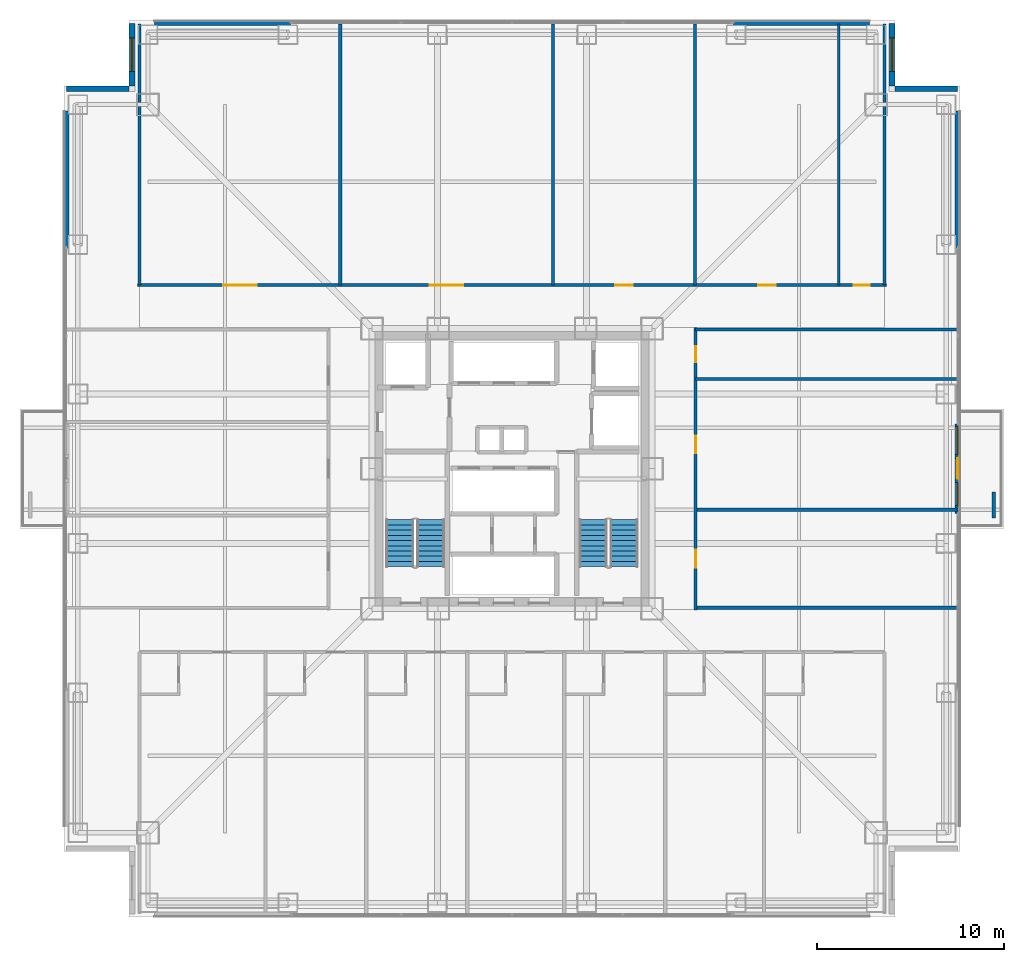
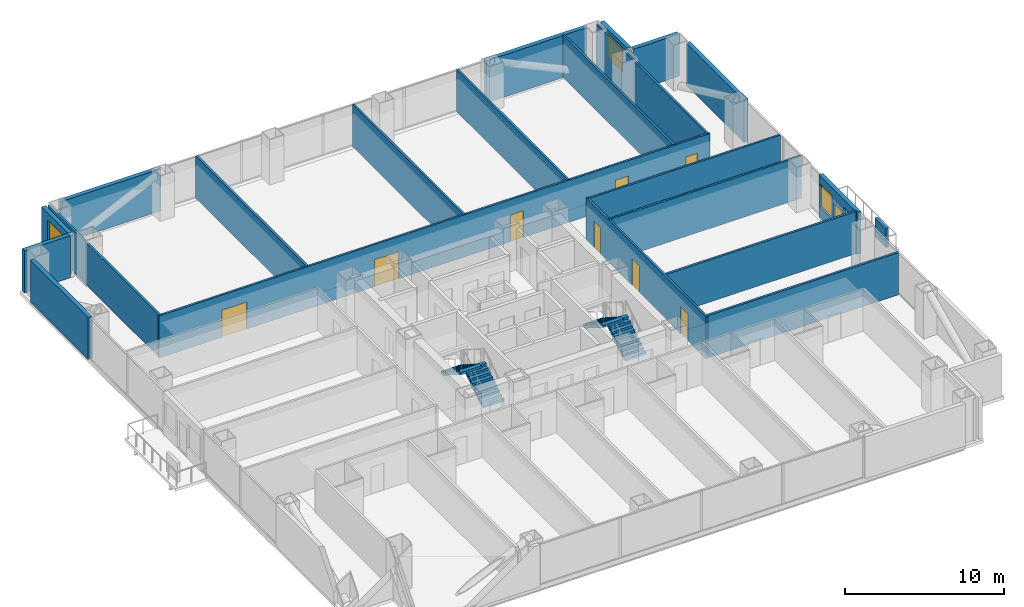
# One storey, part 17 of 20: 22 walls, 9 doors, 4 stair flights, 4 windows, 13 openings, 2 elements without a shape of their own.
"""IFC4 building model written with IfcOpenShell, lengths in metres."""

from ifc_helpers import new_model, si_unit, direction, frame, frame_2d, origin, place, context, subcontext, project, spatial, polyline, rectangle, outline, extrude, material, layer, layer_set, type_object, element, fill, aggregate, save


model = new_model("IFC4")

# Units and contexts
model_context = context("Model", 3, precision=1e-05, world=origin(), true_north=direction((0.0, 1.0)))
body_context = subcontext(model_context, "Body", "Model", "MODEL_VIEW")
ifc_project = project(units=[si_unit("LENGTHUNIT", "METRE"), si_unit("AREAUNIT", "SQUARE_METRE"), si_unit("VOLUMEUNIT", "CUBIC_METRE"), si_unit("PLANEANGLEUNIT", "RADIAN"), si_unit("MASSUNIT", "GRAM", prefix="KILO")], contexts=[model_context])

# Site, building, storey
site_placement = place(None, origin())
site = spatial("IfcSite", under=ifc_project, at=site_placement, CompositionType="ELEMENT")
building_placement = place(site_placement, origin())
building = spatial("IfcBuilding", under=site, at=building_placement, Name="Trevonay Congress Spire", CompositionType="ELEMENT")
storey_placement = place(building_placement, frame((0.0, 0.0, 76.0)))
storey = spatial("IfcBuildingStorey", under=building, at=storey_placement, Name="L19", CompositionType="ELEMENT", Elevation=76.0)

# Wall, openings, doors
ifc_material_1 = material(Name="Concrete C40/50", Category="concrete")
ifc_layer_1 = layer(ifc_material_1, 0.14990234375, Name="Concrete C40/50")
ifc_layer_set_1 = layer_set([ifc_layer_1], Name="Concrete C40/50")
wall_type_1 = type_object("IfcWallType", Name="WAL-CORR-150", PredefinedType="PARTITIONING", material=ifc_layer_set_1)
wall_1_placement = place(storey_placement, frame((-20.070068359375, 9.830078125, 0.0), z_axis=(0.0, 0.0, 1.0), x_axis=(1.0, 0.0, 0.0)))
wall_1 = element("IfcWall", 1, at=wall_1_placement, inside=storey, type_object=wall_type_1, Name="L19 interior wall WP-L19N-COR", PredefinedType="PARTITIONING", context=body_context, shape_type="SweptSolid", body=[
    extrude(rectangle(XDim=40.14013671875, YDim=0.14990234375, at=frame_2d((20.070068359375, 0.0))), origin(), (0.0, 0.0, 1.0), 3.25),
])
opening_1_placement = place(wall_1_placement, frame((4.594970703125, 0.0, 0.0)))
opening_1 = element("IfcOpeningElement", 2, at=opening_1_placement, cuts=wall_1, Name="Opening D09", PredefinedType="OPENING", context=body_context, shape_type="SweptSolid", body=[
    extrude(rectangle(XDim=1.800048828125, YDim=2.080078125, at=frame_2d((0.89990234375, 1.0400390625))), frame((0.0, 0.0849609375, 0.0), z_axis=(0.0, -1.0, 0.0), x_axis=(1.0, 0.0, 0.0)), (0.0, 0.0, 1.0), 0.169921875),
])
opening_2_placement = place(wall_1_placement, frame((15.669921875, 0.0, 0.0)))
opening_2 = element("IfcOpeningElement", 3, at=opening_2_placement, cuts=wall_1, Name="Opening D09", PredefinedType="OPENING", context=body_context, shape_type="SweptSolid", body=[
    extrude(rectangle(XDim=1.800048828125, YDim=2.080078125, at=frame_2d((0.89990234375, 1.0400390625))), frame((0.0, 0.0849609375, 0.0), z_axis=(0.0, -1.0, 0.0), x_axis=(1.0, 0.0, 0.0)), (0.0, 0.0, 1.0), 0.169921875),
])
opening_3_placement = place(wall_1_placement, frame((25.594970703125, 0.0, 0.0)))
opening_3 = element("IfcOpeningElement", 4, at=opening_3_placement, cuts=wall_1, Name="Opening D07", PredefinedType="OPENING", context=body_context, shape_type="SweptSolid", body=[
    extrude(rectangle(XDim=0.949951171875, YDim=2.06005859375, at=frame_2d((0.47509765625, 1.030029296875))), frame((0.0, 0.0849609375, 0.0), z_axis=(0.0, -1.0, 0.0), x_axis=(1.0, 0.0, 0.0)), (0.0, 0.0, 1.0), 0.169921875),
])
opening_4_placement = place(wall_1_placement, frame((33.2451171875, 0.0, 0.0)))
opening_4 = element("IfcOpeningElement", 5, at=opening_4_placement, cuts=wall_1, Name="Opening D07", PredefinedType="OPENING", context=body_context, shape_type="SweptSolid", body=[
    extrude(rectangle(XDim=0.949951171875, YDim=2.06005859375, at=frame_2d((0.47509765625, 1.030029296875))), frame((0.0, 0.0849609375, 0.0), z_axis=(0.0, -1.0, 0.0), x_axis=(1.0, 0.0, 0.0)), (0.0, 0.0, 1.0), 0.169921875),
])
opening_5_placement = place(wall_1_placement, frame((38.3701171875, 0.0, 0.0)))
opening_5 = element("IfcOpeningElement", 6, at=opening_5_placement, cuts=wall_1, Name="Opening D10", PredefinedType="OPENING", context=body_context, shape_type="SweptSolid", body=[
    extrude(rectangle(XDim=0.85009765625, YDim=2.050048828125, at=frame_2d((0.425048828125, 1.02490234375))), frame((0.0, 0.0849609375, 0.0), z_axis=(0.0, -1.0, 0.0), x_axis=(1.0, 0.0, 0.0)), (0.0, 0.0, 1.0), 0.169921875),
])
ifc_material_2 = material(Name="Pale Anodised Aluminium EN AW-6063-T6", Category="aluminium")
door_type_1 = type_object("IfcDoorType", Name="DOR-CONF-DBL", OperationType="DOUBLE_DOOR_SINGLE_SWING", PredefinedType="DOOR", material=ifc_material_2)
door_1_placement = place(opening_1_placement, origin())
door_1 = element("IfcDoor", 7, at=door_1_placement, inside=storey, type_object=door_type_1, Name="L19 Presidential Sky Lounge Door", OperationType="DOUBLE_DOOR_SINGLE_SWING", OverallHeight=2.080078125, OverallWidth=1.800048828125, PredefinedType="DOOR", context=body_context, shape_type="SweptSolid", body=[
    extrude(rectangle(XDim=1.800048828125, YDim=2.080078125, at=frame_2d((0.89990234375, 1.0400390625))), frame((0.0, 0.02490234375, 0.0), z_axis=(0.0, -1.0, 0.0), x_axis=(1.0, 0.0, 0.0)), (0.0, 0.0, 1.0), 0.050048828125),
])
fill(opening_1, door_1)
door_2_placement = place(opening_2_placement, origin())
door_2 = element("IfcDoor", 8, at=door_2_placement, inside=storey, type_object=door_type_1, Name="L19 Diplomatic Reception Salon Door", OperationType="DOUBLE_DOOR_SINGLE_SWING", OverallHeight=2.080078125, OverallWidth=1.800048828125, PredefinedType="DOOR", context=body_context, shape_type="SweptSolid", body=[
    extrude(rectangle(XDim=1.800048828125, YDim=2.080078125, at=frame_2d((0.89990234375, 1.0400390625))), frame((0.0, 0.02490234375, 0.0), z_axis=(0.0, -1.0, 0.0), x_axis=(1.0, 0.0, 0.0)), (0.0, 0.0, 1.0), 0.050048828125),
])
fill(opening_2, door_2)
door_type_2 = type_object("IfcDoorType", Name="DOR-OFFICE-95", OperationType="NOTDEFINED", PredefinedType="DOOR", material=ifc_material_2)
door_3_placement = place(opening_3_placement, origin())
door_3 = element("IfcDoor", 9, at=door_3_placement, inside=storey, type_object=door_type_2, Name="L19 Protocol Secretariat Office Door", OperationType="SINGLE_SWING_LEFT", OverallHeight=2.06005859375, OverallWidth=0.949951171875, PredefinedType="DOOR", context=body_context, shape_type="SweptSolid", body=[
    extrude(rectangle(XDim=0.949951171875, YDim=2.06005859375, at=frame_2d((0.47509765625, 1.030029296875))), frame((0.0, 0.02490234375, 0.0), z_axis=(0.0, -1.0, 0.0), x_axis=(1.0, 0.0, 0.0)), (0.0, 0.0, 1.0), 0.050048828125),
])
fill(opening_3, door_3)
door_4_placement = place(opening_4_placement, origin())
door_4 = element("IfcDoor", 10, at=door_4_placement, inside=storey, type_object=door_type_2, Name="L19 Butler Catering Kitchen Door", OperationType="SINGLE_SWING_RIGHT", OverallHeight=2.06005859375, OverallWidth=0.949951171875, PredefinedType="DOOR", context=body_context, shape_type="SweptSolid", body=[
    extrude(rectangle(XDim=0.949951171875, YDim=2.06005859375, at=frame_2d((0.47509765625, 1.030029296875))), frame((0.0, 0.02490234375, 0.0), z_axis=(0.0, -1.0, 0.0), x_axis=(1.0, 0.0, 0.0)), (0.0, 0.0, 1.0), 0.050048828125),
])
fill(opening_4, door_4)
door_type_3 = type_object("IfcDoorType", Name="DOR-WC-85", OperationType="NOTDEFINED", PredefinedType="DOOR", material=ifc_material_2)
door_5_placement = place(opening_5_placement, origin())
door_5 = element("IfcDoor", 11, at=door_5_placement, inside=storey, type_object=door_type_3, Name="L19 Accessible WC Door", OperationType="SINGLE_SWING_LEFT", OverallHeight=2.050048828125, OverallWidth=0.85009765625, PredefinedType="DOOR", context=body_context, shape_type="SweptSolid", body=[
    extrude(rectangle(XDim=0.85009765625, YDim=2.050048828125, at=frame_2d((0.425048828125, 1.02490234375))), frame((0.0, 0.02490234375, 0.0), z_axis=(0.0, -1.0, 0.0), x_axis=(1.0, 0.0, 0.0)), (0.0, 0.0, 1.0), 0.050048828125),
])
fill(opening_5, door_5)

wall_2_placement = place(storey_placement, frame((9.830078125, -7.570068359375, 0.0), z_axis=(0.0, 0.0, 1.0), x_axis=(0.0, 1.0, 0.0)))
wall_2 = element("IfcWall", 12, at=wall_2_placement, inside=storey, type_object=wall_type_1, Name="L19 interior wall WP-L19E-COR", PredefinedType="PARTITIONING", context=body_context, shape_type="SweptSolid", body=[
    extrude(rectangle(XDim=15.14013671875, YDim=0.14990234375, at=frame_2d((7.570068359375, 0.0))), origin(), (0.0, 0.0, 1.0), 3.25),
])
opening_6_placement = place(wall_2_placement, frame((2.27001953125, 0.0, 0.0)))
opening_6 = element("IfcOpeningElement", 13, at=opening_6_placement, cuts=wall_2, Name="Opening D07", PredefinedType="OPENING", context=body_context, shape_type="SweptSolid", body=[
    extrude(rectangle(XDim=0.949951171875, YDim=2.06005859375, at=frame_2d((0.47509765625, 1.030029296875))), frame((0.0, 0.0849609375, 0.0), z_axis=(0.0, -1.0, 0.0), x_axis=(1.0, 0.0, 0.0)), (0.0, 0.0, 1.0), 0.169921875),
])
opening_7_placement = place(wall_2_placement, frame((8.39501953125, 0.0, 0.0)))
opening_7 = element("IfcOpeningElement", 14, at=opening_7_placement, cuts=wall_2, Name="Opening D07", PredefinedType="OPENING", context=body_context, shape_type="SweptSolid", body=[
    extrude(rectangle(XDim=0.949951171875, YDim=2.06005859375, at=frame_2d((0.47509765625, 1.030029296875))), frame((0.0, 0.0849609375, 0.0), z_axis=(0.0, -1.0, 0.0), x_axis=(1.0, 0.0, 0.0)), (0.0, 0.0, 1.0), 0.169921875),
])
opening_8_placement = place(wall_2_placement, frame((13.27001953125, 0.0, 0.0)))
opening_8 = element("IfcOpeningElement", 15, at=opening_8_placement, cuts=wall_2, Name="Opening D10", PredefinedType="OPENING", context=body_context, shape_type="SweptSolid", body=[
    extrude(rectangle(XDim=0.85009765625, YDim=2.050048828125, at=frame_2d((0.425048828125, 1.02490234375))), frame((0.0, 0.0849609375, 0.0), z_axis=(0.0, -1.0, 0.0), x_axis=(1.0, 0.0, 0.0)), (0.0, 0.0, 1.0), 0.169921875),
])
door_6_placement = place(opening_6_placement, origin())
door_6 = element("IfcDoor", 16, at=door_6_placement, inside=storey, type_object=door_type_2, Name="L19 Housekeeping and Linen Room Door", OperationType="SINGLE_SWING_LEFT", OverallHeight=2.06005859375, OverallWidth=0.949951171875, PredefinedType="DOOR", context=body_context, shape_type="SweptSolid", body=[
    extrude(rectangle(XDim=0.949951171875, YDim=2.06005859375, at=frame_2d((0.47509765625, 1.030029296875))), frame((0.0, 0.02490234375, 0.0), z_axis=(0.0, -1.0, 0.0), x_axis=(1.0, 0.0, 0.0)), (0.0, 0.0, 1.0), 0.050048828125),
])
fill(opening_6, door_6)
door_7_placement = place(opening_7_placement, origin())
door_7 = element("IfcDoor", 17, at=door_7_placement, inside=storey, type_object=door_type_2, Name="L19 Penthouse Wine Pantry Door", OperationType="SINGLE_SWING_RIGHT", OverallHeight=2.06005859375, OverallWidth=0.949951171875, PredefinedType="DOOR", context=body_context, shape_type="SweptSolid", body=[
    extrude(rectangle(XDim=0.949951171875, YDim=2.06005859375, at=frame_2d((0.47509765625, 1.030029296875))), frame((0.0, 0.02490234375, 0.0), z_axis=(0.0, -1.0, 0.0), x_axis=(1.0, 0.0, 0.0)), (0.0, 0.0, 1.0), 0.050048828125),
])
fill(opening_7, door_7)
door_8_placement = place(opening_8_placement, origin())
door_8 = element("IfcDoor", 18, at=door_8_placement, inside=storey, type_object=door_type_3, Name="L19 Staff Restroom WC Door", OperationType="SINGLE_SWING_LEFT", OverallHeight=2.050048828125, OverallWidth=0.85009765625, PredefinedType="DOOR", context=body_context, shape_type="SweptSolid", body=[
    extrude(rectangle(XDim=0.85009765625, YDim=2.050048828125, at=frame_2d((0.425048828125, 1.02490234375))), frame((0.0, 0.02490234375, 0.0), z_axis=(0.0, -1.0, 0.0), x_axis=(1.0, 0.0, 0.0)), (0.0, 0.0, 1.0), 0.050048828125),
])
fill(opening_8, door_8)

# Walls
ifc_material_3 = material(Name="Precast concrete C40/50", Category="concrete")
ifc_layer_2 = layer(ifc_material_3, 0.300048828125, Name="Precast concrete C40/50")
ifc_layer_set_2 = layer_set([ifc_layer_2], Name="Precast concrete C40/50")
wall_type_2 = type_object("IfcWallType", Name="WAL-EXT-PRECAST-300", PredefinedType="SOLIDWALL", material=ifc_layer_set_2)
for number, where, z_axis, x_axis, name in (
    (19, (-19.14990234375, 23.8798828125, 0.0), (0.0, 0.0, 1.0), (1.0, 0.0, 0.0), "L19 NL braced-bay exterior pier wall"),
    (20, (11.85009765625, 23.8798828125, 0.0), (0.0, 0.0, 1.0), (1.0, 0.0, 0.0), "L19 NR braced-bay exterior pier wall"),
    (21, (-23.8798828125, 11.85009765625, 0.0), (0.0, 0.0, 1.0), (0.0, 1.0, 0.0), "L19 WR braced-bay exterior pier wall"),
    (22, (23.8798828125, 11.85009765625, 0.0), (0.0, 0.0, 1.0), (0.0, 1.0, 0.0), "L19 ER braced-bay exterior pier wall"),
):
    element("IfcWall", number, at=place(storey_placement, frame(where, z_axis=z_axis, x_axis=x_axis)), inside=storey, type_object=wall_type_2, Name=name, PredefinedType="SOLIDWALL", context=body_context, shape_type="SweptSolid", body=[
        extrude(rectangle(XDim=7.2998046875, YDim=0.300048828125, at=frame_2d((3.64990234375, 0.0))), origin(), (0.0, 0.0, 1.0), 3.25),
    ])

# Wall, openings, door, windows
wall_3_placement = place(storey_placement, frame((23.8798828125, -2.39990234375, 0.0), z_axis=(0.0, 0.0, 1.0), x_axis=(0.0, 1.0, 0.0)))
wall_3 = element("IfcWall", 23, at=wall_3_placement, inside=storey, type_object=wall_type_2, Name="L19 E glazed balcony portal exterior wall", PredefinedType="SOLIDWALL", context=body_context, shape_type="SweptSolid", body=[
    extrude(rectangle(XDim=4.7998046875, YDim=0.300048828125, at=frame_2d((2.39990234375, 0.0))), origin(), (0.0, 0.0, 1.0), 3.25),
])
opening_9_placement = place(wall_3_placement, frame((1.85009765625, 0.0, 0.0)))
opening_9 = element("IfcOpeningElement", 24, at=opening_9_placement, cuts=wall_3, Name="Opening D03", PredefinedType="OPENING", context=body_context, shape_type="SweptSolid", body=[
    extrude(rectangle(XDim=1.10009765625, YDim=2.199951171875, at=frame_2d((0.550048828125, 1.10009765625))), frame((0.0, 0.16015625, 0.0), z_axis=(0.0, -1.0, 0.0), x_axis=(1.0, 0.0, 0.0)), (0.0, 0.0, 1.0), 0.320068359375),
])
opening_10_placement = place(wall_3_placement, frame((0.419921875, 0.0, 0.85009765625)))
opening_10 = element("IfcOpeningElement", 25, at=opening_10_placement, cuts=wall_3, Name="Opening WN07", PredefinedType="OPENING", context=body_context, shape_type="SweptSolid", body=[
    extrude(rectangle(XDim=1.22998046875, YDim=1.800048828125, at=frame_2d((0.614990234375, 0.89990234375))), frame((0.0, 0.16015625, 0.0), z_axis=(0.0, -1.0, 0.0), x_axis=(1.0, 0.0, 0.0)), (0.0, 0.0, 1.0), 0.320068359375),
])
opening_11_placement = place(wall_3_placement, frame((3.14990234375, 0.0, 0.85009765625)))
opening_11 = element("IfcOpeningElement", 26, at=opening_11_placement, cuts=wall_3, Name="Opening WN03", PredefinedType="OPENING", context=body_context, shape_type="SweptSolid", body=[
    extrude(rectangle(XDim=1.5, YDim=1.800048828125, at=frame_2d((0.75, 0.89990234375))), frame((0.0, 0.16015625, 0.0), z_axis=(0.0, -1.0, 0.0), x_axis=(1.0, 0.0, 0.0)), (0.0, 0.0, 1.0), 0.320068359375),
])
door_type_4 = type_object("IfcDoorType", Name="DOR-EXT-BAL-110", OperationType="NOTDEFINED", PredefinedType="DOOR", material=ifc_material_2)
door_9_placement = place(opening_9_placement, origin())
door_9 = element("IfcDoor", 27, at=door_9_placement, inside=storey, type_object=door_type_4, Name="L19 E glazed outdoor terrace and balcony door", OperationType="SINGLE_SWING_RIGHT", OverallHeight=2.199951171875, OverallWidth=1.10009765625, PredefinedType="DOOR", context=body_context, shape_type="SweptSolid", body=[
    extrude(rectangle(XDim=1.10009765625, YDim=2.199951171875, at=frame_2d((0.550048828125, 1.10009765625))), frame((0.0, 0.02490234375, 0.0), z_axis=(0.0, -1.0, 0.0), x_axis=(1.0, 0.0, 0.0)), (0.0, 0.0, 1.0), 0.050048828125),
])
fill(opening_9, door_9)
ifc_material_4 = material(Name="Insulated Low-E Vision Glass IGU", Category="glass")
window_type_1 = type_object("IfcWindowType", Name="WIN-NOTCH-150X180", PartitioningType="SINGLE_PANEL", PredefinedType="WINDOW", material=ifc_material_4)
window_1_placement = place(opening_11_placement, origin())
window_1 = element("IfcWindow", 28, at=window_1_placement, inside=storey, type_object=window_type_1, Name="L19 E balcony sidelight window R", OverallHeight=1.800048828125, OverallWidth=1.5, PartitioningType="SINGLE_PANEL", PredefinedType="WINDOW", context=body_context, shape_type="SweptSolid", body=[
    extrude(rectangle(XDim=1.5, YDim=1.800048828125, at=frame_2d((0.75, 0.89990234375))), frame((0.0, 0.030029296875, 0.0), z_axis=(0.0, -1.0, 0.0), x_axis=(1.0, 0.0, 0.0)), (0.0, 0.0, 1.0), 0.06005859375),
])
fill(opening_11, window_1)
window_type_2 = type_object("IfcWindowType", Name="WIN-SIDELIGHT-123X180", PartitioningType="SINGLE_PANEL", PredefinedType="WINDOW", material=ifc_material_4)
window_2_placement = place(opening_10_placement, origin())
window_2 = element("IfcWindow", 29, at=window_2_placement, inside=storey, type_object=window_type_2, Name="L19 E balcony sidelight window L", OverallHeight=1.800048828125, OverallWidth=1.22998046875, PartitioningType="SINGLE_PANEL", PredefinedType="WINDOW", context=body_context, shape_type="SweptSolid", body=[
    extrude(rectangle(XDim=1.22998046875, YDim=1.800048828125, at=frame_2d((0.614990234375, 0.89990234375))), frame((0.0, 0.030029296875, 0.0), z_axis=(0.0, -1.0, 0.0), x_axis=(1.0, 0.0, 0.0)), (0.0, 0.0, 1.0), 0.06005859375),
])
fill(opening_10, window_2)

# Wall, opening, window
wall_4_placement = place(storey_placement, frame((20.35009765625, 23.85009765625, 0.0), z_axis=(0.0, 0.0, 1.0), x_axis=(0.0, -1.0, 0.0)))
wall_4 = element("IfcWall", 30, at=wall_4_placement, inside=storey, type_object=wall_type_2, Name="L19 NE re-entrant notch exterior wall 1", PredefinedType="SOLIDWALL", context=body_context, shape_type="SweptSolid", body=[
    extrude(rectangle(XDim=3.35009765625, YDim=0.300048828125, at=frame_2d((1.675048828125, 0.0))), origin(), (0.0, 0.0, 1.0), 3.25),
])
opening_12_placement = place(wall_4_placement, frame((0.77490234375, 0.0, 0.89990234375)))
opening_12 = element("IfcOpeningElement", 31, at=opening_12_placement, cuts=wall_4, Name="Opening WN01", PredefinedType="OPENING", context=body_context, shape_type="SweptSolid", body=[
    extrude(rectangle(XDim=1.800048828125, YDim=1.800048828125, at=frame_2d((0.89990234375, 0.89990234375))), frame((0.0, 0.16015625, 0.0), z_axis=(0.0, -1.0, 0.0), x_axis=(1.0, 0.0, 0.0)), (0.0, 0.0, 1.0), 0.320068359375),
])
window_type_3 = type_object("IfcWindowType", Name="WIN-HOTEL-180X180", PartitioningType="SINGLE_PANEL", PredefinedType="WINDOW", material=ifc_material_4)
window_3_placement = place(opening_12_placement, origin())
window_3 = element("IfcWindow", 32, at=window_3_placement, inside=storey, type_object=window_type_3, Name="L19 NE corner notch window", OverallHeight=1.800048828125, OverallWidth=1.800048828125, PartitioningType="SINGLE_PANEL", PredefinedType="WINDOW", context=body_context, shape_type="SweptSolid", body=[
    extrude(rectangle(XDim=1.800048828125, YDim=1.800048828125, at=frame_2d((0.89990234375, 0.89990234375))), frame((0.0, 0.030029296875, 0.0), z_axis=(0.0, -1.0, 0.0), x_axis=(1.0, 0.0, 0.0)), (0.0, 0.0, 1.0), 0.06005859375),
])
fill(opening_12, window_3)

# Wall
wall_5_placement = place(storey_placement, frame((23.85009765625, 20.35009765625, 0.0), z_axis=(0.0, 0.0, 1.0), x_axis=(-1.0, 0.0, 0.0)))
element("IfcWall", 33, at=wall_5_placement, inside=storey, type_object=wall_type_2, Name="L19 NE re-entrant notch exterior wall 2", PredefinedType="SOLIDWALL", context=body_context, shape_type="SweptSolid", body=[
    extrude(rectangle(XDim=3.35009765625, YDim=0.300048828125, at=frame_2d((1.675048828125, 0.0))), origin(), (0.0, 0.0, 1.0), 3.25),
])

# Wall, opening, window
wall_6_placement = place(storey_placement, frame((-20.35009765625, 23.85009765625, 0.0), z_axis=(0.0, 0.0, 1.0), x_axis=(0.0, -1.0, 0.0)))
wall_6 = element("IfcWall", 34, at=wall_6_placement, inside=storey, type_object=wall_type_2, Name="L19 NW re-entrant notch exterior wall 1", PredefinedType="SOLIDWALL", context=body_context, shape_type="SweptSolid", body=[
    extrude(rectangle(XDim=3.35009765625, YDim=0.300048828125, at=frame_2d((1.675048828125, 0.0))), origin(), (0.0, 0.0, 1.0), 3.25),
])
opening_13_placement = place(wall_6_placement, frame((0.77490234375, 0.0, 0.89990234375)))
opening_13 = element("IfcOpeningElement", 35, at=opening_13_placement, cuts=wall_6, Name="Opening WN01", PredefinedType="OPENING", context=body_context, shape_type="SweptSolid", body=[
    extrude(rectangle(XDim=1.800048828125, YDim=1.800048828125, at=frame_2d((0.89990234375, 0.89990234375))), frame((0.0, 0.16015625, 0.0), z_axis=(0.0, -1.0, 0.0), x_axis=(1.0, 0.0, 0.0)), (0.0, 0.0, 1.0), 0.320068359375),
])
window_4_placement = place(opening_13_placement, origin())
window_4 = element("IfcWindow", 36, at=window_4_placement, inside=storey, type_object=window_type_3, Name="L19 NW corner notch window", OverallHeight=1.800048828125, OverallWidth=1.800048828125, PartitioningType="SINGLE_PANEL", PredefinedType="WINDOW", context=body_context, shape_type="SweptSolid", body=[
    extrude(rectangle(XDim=1.800048828125, YDim=1.800048828125, at=frame_2d((0.89990234375, 0.89990234375))), frame((0.0, 0.030029296875, 0.0), z_axis=(0.0, -1.0, 0.0), x_axis=(1.0, 0.0, 0.0)), (0.0, 0.0, 1.0), 0.06005859375),
])
fill(opening_13, window_4)

# Walls
wall_7_placement = place(storey_placement, frame((-23.85009765625, 20.35009765625, 0.0), z_axis=(0.0, 0.0, 1.0), x_axis=(1.0, 0.0, 0.0)))
element("IfcWall", 37, at=wall_7_placement, inside=storey, type_object=wall_type_2, Name="L19 NW re-entrant notch exterior wall 2", PredefinedType="SOLIDWALL", context=body_context, shape_type="SweptSolid", body=[
    extrude(rectangle(XDim=3.35009765625, YDim=0.300048828125, at=frame_2d((1.675048828125, 0.0))), origin(), (0.0, 0.0, 1.0), 3.25),
])
ifc_layer_3 = layer(ifc_material_1, 0.14990234375, Name="Concrete C40/50")
ifc_layer_set_3 = layer_set([ifc_layer_3], Name="Concrete C40/50")
wall_type_3 = type_object("IfcWallType", Name="WAL-PART-150", PredefinedType="PARTITIONING", material=ifc_layer_set_3)
for number, where, z_axis, x_axis, name in (
    (38, (2.199951171875, 9.830078125, 0.0), (0.0, 0.0, 1.0), (0.0, 1.0, 0.0), "L19 interior wall WP-L19N-DIV3"),
    (39, (9.800048828125, 9.830078125, 0.0), (0.0, 0.0, 1.0), (0.0, 1.0, 0.0), "L19 interior wall WP-L19N-DIV4"),
    (40, (17.5, 9.830078125, 0.0), (0.0, 0.0, 1.0), (0.0, 1.0, 0.0), "L19 interior wall WP-L19N-DIV5"),
    (41, (19.949951171875, 9.830078125, 0.0), (0.0, 0.0, 1.0), (0.0, 1.0, 0.0), "L19 interior wall WP-L19N-DIV6"),
    (42, (9.830078125, 4.800048828125, 0.0), (0.0, 0.0, 1.0), (1.0, 0.0, 0.0), "L19 interior wall WP-L19E-DIV3"),
    (43, (9.830078125, 7.449951171875, 0.0), (0.0, 0.0, 1.0), (1.0, 0.0, 0.0), "L19 interior wall WP-L19E-DIV4"),
):
    element("IfcWall", number, at=place(storey_placement, frame(where, z_axis=z_axis, x_axis=x_axis)), inside=storey, type_object=wall_type_3, Name=name, PredefinedType="PARTITIONING", context=body_context, shape_type="SweptSolid", body=[
        extrude(rectangle(XDim=13.989990234375, YDim=0.14990234375, at=frame_2d((6.9951171875, 0.0))), origin(), (0.0, 0.0, 1.0), 3.25),
    ])
ifc_layer_4 = layer(ifc_material_3, 0.199951171875, Name="Precast concrete C40/50")
ifc_layer_set_4 = layer_set([ifc_layer_4], Name="Precast concrete C40/50")
wall_type_4 = type_object("IfcWallType", Name="WAL-TREE-PLANTER-200", PredefinedType="PARAPET", material=ifc_layer_set_4)
wall_8_placement = place(storey_placement, frame((25.800048828125, -2.64990234375, 0.0), z_axis=(0.0, 0.0, 1.0), x_axis=(0.0, 1.0, 0.0)))
element("IfcWall", 44, at=wall_8_placement, inside=storey, type_object=wall_type_4, Name="L19 E cantilevered balcony tree planter box", PredefinedType="PARAPET", context=body_context, shape_type="SweptSolid", body=[
    extrude(rectangle(XDim=1.39990234375, YDim=0.199951171875, at=frame_2d((0.699951171875, 0.0))), origin(), (0.0, 0.0, 1.0), 1.449951171875),
])
ifc_layer_5 = layer(ifc_material_1, 0.1650390625, Name="Concrete C40/50")
ifc_layer_set_5 = layer_set([ifc_layer_5], Name="Concrete C40/50")
wall_type_5 = type_object("IfcWallType", Name="WAL-WET-165", PredefinedType="PLUMBINGWALL", material=ifc_layer_set_5)
for number, where, z_axis, x_axis, name in (
    (45, (-19.949951171875, 9.830078125, 0.0), (0.0, 0.0, 1.0), (0.0, 1.0, 0.0), "L19 interior wall WP-L19N-DIV1"),
    (46, (-9.199951171875, 9.830078125, 0.0), (0.0, 0.0, 1.0), (0.0, 1.0, 0.0), "L19 interior wall WP-L19N-DIV2"),
    (47, (9.830078125, -7.449951171875, 0.0), (0.0, 0.0, 1.0), (1.0, 0.0, 0.0), "L19 interior wall WP-L19E-DIV1"),
    (48, (9.830078125, -2.199951171875, 0.0), (0.0, 0.0, 1.0), (1.0, 0.0, 0.0), "L19 interior wall WP-L19E-DIV2"),
):
    element("IfcWall", number, at=place(storey_placement, frame(where, z_axis=z_axis, x_axis=x_axis)), inside=storey, type_object=wall_type_5, Name=name, PredefinedType="PLUMBINGWALL", context=body_context, shape_type="SweptSolid", body=[
        extrude(rectangle(XDim=13.989990234375, YDim=0.1650390625, at=frame_2d((6.9951171875, 0.0))), origin(), (0.0, 0.0, 1.0), 3.25),
    ])

# Stair, stair flights
stair_type_1 = type_object("IfcStairType", Name="STR-ST-1", PredefinedType="HALF_TURN_STAIR", material=ifc_material_1)
stair_1_placement = place(storey_placement, origin())
stair_1 = element("IfcStair", 49, at=stair_1_placement, inside=storey, type_object=stair_type_1, Name="L19 Protected Exit Stair ST-1", PredefinedType="HALF_TURN_STAIR")
stair_flight_type_1 = type_object("IfcStairFlightType", Name="SFL-ST-1", PredefinedType="STRAIGHT", material=ifc_material_1)
stair_flight_1_placement = place(storey_placement, frame((-4.35009765625, -5.25, 0.0), z_axis=(0.0, 0.0, 1.0), x_axis=(0.0, 1.0, 0.0)))
stair_flight_1 = element("IfcStairFlight", 50, at=stair_flight_1_placement, type_object=stair_flight_type_1, Name="ST-1 flight 1", NumberOfRisers=10, NumberOfTreads=9, PredefinedType="STRAIGHT", RiserHeight=0.175, TreadLength=0.28, context=body_context, shape_type="SweptSolid", body=[
    extrude(outline(polyline([(0.0, 0.0), (0.0, 0.175048828125), (0.280029296875, 0.175048828125), (0.280029296875, 0.35009765625), (0.56005859375, 0.35009765625), (0.56005859375, 0.52490234375), (0.840087890625, 0.52490234375), (0.840087890625, 0.699951171875), (1.1201171875, 0.699951171875), (1.1201171875, 0.875), (1.39990234375, 0.875), (1.39990234375, 1.050048828125), (1.679931640625, 1.050048828125), (1.679931640625, 1.22509765625), (1.9599609375, 1.22509765625), (1.9599609375, 1.39990234375), (2.239990234375, 1.39990234375), (2.239990234375, 1.574951171875), (2.52001953125, 1.574951171875), (2.52001953125, 1.75), (2.52001953125, 1.398193359375), (0.28271484375, 0.0), (0.0, 0.0)])), frame((0.0, 0.75, 0.0), z_axis=(0.0, -1.0, 0.0), x_axis=(1.0, 0.0, 0.0)), (0.0, 0.0, 1.0), 1.5),
])
stair_flight_2_placement = place(storey_placement, frame((-6.0, -2.72998046875, 1.75), z_axis=(0.0, 0.0, 1.0), x_axis=(0.0, -1.0, 0.0)))
stair_flight_2 = element("IfcStairFlight", 51, at=stair_flight_2_placement, type_object=stair_flight_type_1, Name="ST-1 flight 2", NumberOfRisers=10, NumberOfTreads=9, PredefinedType="STRAIGHT", RiserHeight=0.175, TreadLength=0.28, context=body_context, shape_type="SweptSolid", body=[
    extrude(outline(polyline([(0.0, 0.0), (0.0, 0.175048828125), (0.280029296875, 0.175048828125), (0.280029296875, 0.35009765625), (0.56005859375, 0.35009765625), (0.56005859375, 0.52490234375), (0.840087890625, 0.52490234375), (0.840087890625, 0.699951171875), (1.1201171875, 0.699951171875), (1.1201171875, 0.875), (1.39990234375, 0.875), (1.39990234375, 1.050048828125), (1.679931640625, 1.050048828125), (1.679931640625, 1.22509765625), (1.9599609375, 1.22509765625), (1.9599609375, 1.39990234375), (2.239990234375, 1.39990234375), (2.239990234375, 1.574951171875), (2.52001953125, 1.574951171875), (2.52001953125, 1.75), (2.52001953125, 1.398193359375), (0.28271484375, 0.0), (0.0, 0.0)])), frame((0.0, 0.75, 0.0), z_axis=(0.0, -1.0, 0.0), x_axis=(1.0, 0.0, 0.0)), (0.0, 0.0, 1.0), 1.5),
])
aggregate(stair_1, [stair_flight_1, stair_flight_2])

stair_type_2 = type_object("IfcStairType", Name="STR-ST-2", PredefinedType="HALF_TURN_STAIR", material=ifc_material_1)
stair_2_placement = place(storey_placement, origin())
stair_2 = element("IfcStair", 52, at=stair_2_placement, inside=storey, type_object=stair_type_2, Name="L19 Protected Exit Stair ST-2", PredefinedType="HALF_TURN_STAIR")
stair_flight_type_2 = type_object("IfcStairFlightType", Name="SFL-ST-2", PredefinedType="STRAIGHT", material=ifc_material_1)
stair_flight_3_placement = place(storey_placement, frame((6.0, -5.25, 0.0), z_axis=(0.0, 0.0, 1.0), x_axis=(0.0, 1.0, 0.0)))
stair_flight_3 = element("IfcStairFlight", 53, at=stair_flight_3_placement, type_object=stair_flight_type_2, Name="ST-2 flight 1", NumberOfRisers=10, NumberOfTreads=9, PredefinedType="STRAIGHT", RiserHeight=0.175, TreadLength=0.28, context=body_context, shape_type="SweptSolid", body=[
    extrude(outline(polyline([(0.0, 0.0), (0.0, 0.175048828125), (0.280029296875, 0.175048828125), (0.280029296875, 0.35009765625), (0.56005859375, 0.35009765625), (0.56005859375, 0.52490234375), (0.840087890625, 0.52490234375), (0.840087890625, 0.699951171875), (1.1201171875, 0.699951171875), (1.1201171875, 0.875), (1.39990234375, 0.875), (1.39990234375, 1.050048828125), (1.679931640625, 1.050048828125), (1.679931640625, 1.22509765625), (1.9599609375, 1.22509765625), (1.9599609375, 1.39990234375), (2.239990234375, 1.39990234375), (2.239990234375, 1.574951171875), (2.52001953125, 1.574951171875), (2.52001953125, 1.75), (2.52001953125, 1.398193359375), (0.28271484375, 0.0), (0.0, 0.0)])), frame((0.0, 0.75, 0.0), z_axis=(0.0, -1.0, 0.0), x_axis=(1.0, 0.0, 0.0)), (0.0, 0.0, 1.0), 1.5),
])
stair_flight_4_placement = place(storey_placement, frame((4.35009765625, -2.72998046875, 1.75), z_axis=(0.0, 0.0, 1.0), x_axis=(0.0, -1.0, 0.0)))
stair_flight_4 = element("IfcStairFlight", 54, at=stair_flight_4_placement, type_object=stair_flight_type_2, Name="ST-2 flight 2", NumberOfRisers=10, NumberOfTreads=9, PredefinedType="STRAIGHT", RiserHeight=0.175, TreadLength=0.28, context=body_context, shape_type="SweptSolid", body=[
    extrude(outline(polyline([(0.0, 0.0), (0.0, 0.175048828125), (0.280029296875, 0.175048828125), (0.280029296875, 0.35009765625), (0.56005859375, 0.35009765625), (0.56005859375, 0.52490234375), (0.840087890625, 0.52490234375), (0.840087890625, 0.699951171875), (1.1201171875, 0.699951171875), (1.1201171875, 0.875), (1.39990234375, 0.875), (1.39990234375, 1.050048828125), (1.679931640625, 1.050048828125), (1.679931640625, 1.22509765625), (1.9599609375, 1.22509765625), (1.9599609375, 1.39990234375), (2.239990234375, 1.39990234375), (2.239990234375, 1.574951171875), (2.52001953125, 1.574951171875), (2.52001953125, 1.75), (2.52001953125, 1.398193359375), (0.28271484375, 0.0), (0.0, 0.0)])), frame((0.0, 0.75, 0.0), z_axis=(0.0, -1.0, 0.0), x_axis=(1.0, 0.0, 0.0)), (0.0, 0.0, 1.0), 1.5),
])
aggregate(stair_2, [stair_flight_3, stair_flight_4])

save(model, "model.ifc")
